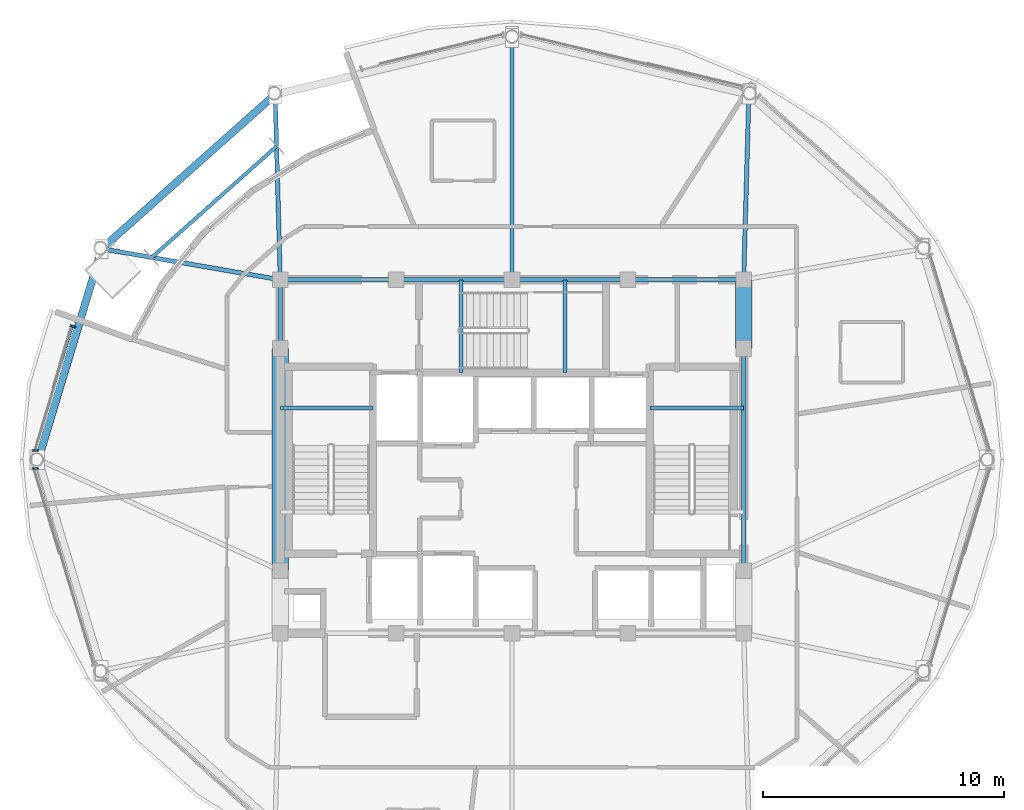
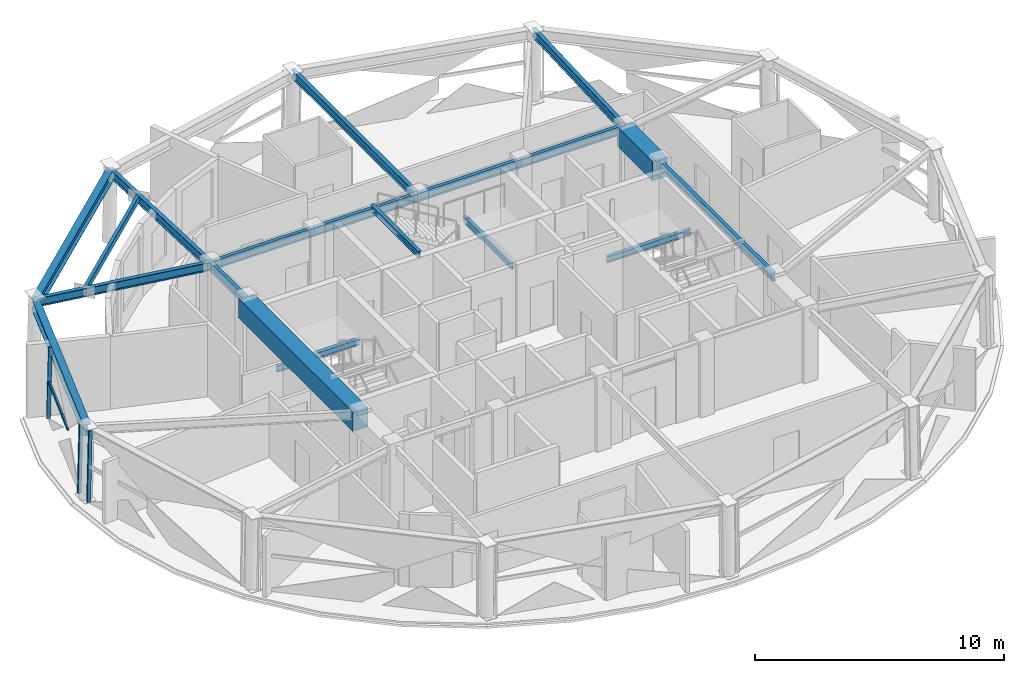
# One storey, part 3 of 14: 19 beams, 4 members, 2 elements without a shape of their own.
"""IFC4 building model written with IfcOpenShell, lengths in metres."""

import ifcopenshell
import ifcopenshell.guid

model = None  # the IFC model being written
_history = None  # IfcOwnerHistory: only IFC2X3 demands one
_inside = {}  # id of a spatial element -> (the spatial element, [elements in it])
_under = {}  # id of a project, library or spatial element -> (it, [spatial elements below it])
_declared = {}  # id of a project -> (the project, [libraries it declares])
_typed = {}  # id of a type object -> (the type object, [elements of that type])
_made_of = {}  # id of a material, layer set ... -> (it, [elements and type objects made of it])


def new_model(schema):
    """Start an empty IFC model of exactly this schema.

    Asked for "IFC4X3", IfcOpenShell would pick the latest addendum, in which some entities
    have other attributes; the version numbers below select the first issue.
    IFC2X3 requires an IfcOwnerHistory on every rooted entity: one is made here for all.
    """
    global model, _history
    if schema == "IFC4X3":
        model = ifcopenshell.file(schema_version=(4, 3, 0, 0))
    else:
        model = ifcopenshell.file(schema=schema)
    _inside.clear()
    _under.clear()
    _declared.clear()
    _typed.clear()
    _made_of.clear()
    _history = None
    if model.schema == "IFC2X3":
        org = make("IfcOrganization", Name="unknown")
        user = make(
            "IfcPersonAndOrganization",
            ThePerson=make("IfcPerson", FamilyName="unknown"),
            TheOrganization=org,
        )
        app = make(
            "IfcApplication",
            ApplicationDeveloper=org,
            Version="unknown",
            ApplicationFullName="unknown",
            ApplicationIdentifier="unknown",
        )
        _history = make(
            "IfcOwnerHistory",
            OwningUser=user,
            OwningApplication=app,
            ChangeAction="ADDED",
            CreationDate=0,
        )
    return model


def make(cls, **values):
    """One entity of the class cls with the attributes given. An attribute that is None is left unset."""
    return model.create_entity(
        cls, **{name: value for name, value in values.items() if value is not None}
    )


def rooted(cls, **values):
    """An entity with a GlobalId (a new one), such as an element, a storey or a relation."""
    return make(cls, GlobalId=ifcopenshell.guid.new(), OwnerHistory=_history, **values)


def si_unit(unit_type, name, prefix=None):
    """IfcSIUnit, for example si_unit("LENGTHUNIT", "METRE", prefix="MILLI")."""
    return make("IfcSIUnit", UnitType=unit_type, Prefix=prefix, Name=name)


def assignment(units):
    """IfcUnitAssignment: the units of a project."""
    return None if units is None else make("IfcUnitAssignment", Units=units)


def point(xyz):
    """IfcCartesianPoint."""
    return None if xyz is None else make("IfcCartesianPoint", Coordinates=xyz)


def direction(xyz):
    """IfcDirection."""
    return None if xyz is None else make("IfcDirection", DirectionRatios=xyz)


def frame(location, z_axis=None, x_axis=None):
    """IfcAxis2Placement3D, a coordinate frame: its origin and axes. An axis left out is left unset."""
    return make(
        "IfcAxis2Placement3D",
        Location=point(location),
        Axis=direction(z_axis),
        RefDirection=direction(x_axis),
    )


def frame_2d(location, x_axis=None):
    """IfcAxis2Placement2D, a coordinate frame in the plane: its origin and x axis."""
    return make(
        "IfcAxis2Placement2D", Location=point(location), RefDirection=direction(x_axis)
    )


def origin():
    """The frame at (0, 0, 0) with its axes left unset."""
    return frame((0.0, 0.0, 0.0))


def origin_2d():
    """The frame at (0, 0) in the plane with its x axis left unset."""
    return frame_2d((0.0, 0.0))


def place(relative_to, where):
    """IfcLocalPlacement: puts the frame where relative to a parent placement (None: the world)."""
    return make(
        "IfcLocalPlacement", PlacementRelTo=relative_to, RelativePlacement=where
    )


def context(
    kind, dimensions, precision=None, world=None, true_north=None, identifier=None
):
    """IfcGeometricRepresentationContext, for example the 3D "Model" context."""
    return make(
        "IfcGeometricRepresentationContext",
        ContextIdentifier=identifier,
        ContextType=kind,
        CoordinateSpaceDimension=dimensions,
        Precision=precision,
        WorldCoordinateSystem=world,
        TrueNorth=true_north,
    )


def subcontext(parent, identifier, kind, view, scale=None):
    """IfcGeometricRepresentationSubContext, for example "Body" below "Model"."""
    return make(
        "IfcGeometricRepresentationSubContext",
        ContextIdentifier=identifier,
        ContextType=kind,
        ParentContext=parent,
        TargetScale=scale,
        TargetView=view,
    )


def project(units=None, contexts=None):
    """IfcProject with its units and contexts."""
    return rooted(
        "IfcProject",
        Name="project",
        RepresentationContexts=contexts,
        UnitsInContext=assignment(units),
    )


def spatial(cls, under=None, at=None, **own):
    """A site, building, storey or space (cls), placed at a placement, below another one or the project."""
    s = rooted(cls, ObjectPlacement=at, **own)
    if under is not None:
        _under.setdefault(under.id(), (under, []))[1].append(s)
    return s


def profile(cls, at=None, kind="AREA", **sizes):
    """A parametric profile (cls). Its sizes go by their IFC names, for example OverallWidth=200.0."""
    return make(cls, ProfileType=kind, Position=at, **sizes)


def rectangle(**sizes):
    """IfcRectangleProfileDef."""
    return profile("IfcRectangleProfileDef", **sizes)


def hollow_rectangle(**sizes):
    """IfcRectangleHollowProfileDef."""
    return profile("IfcRectangleHollowProfileDef", **sizes)


def i_section(**sizes):
    """IfcIShapeProfileDef."""
    return profile("IfcIShapeProfileDef", **sizes)


def extrude(swept, where, along, depth):
    """IfcExtrudedAreaSolid: the profile swept, set in the frame where, extruded along a direction by depth."""
    return make(
        "IfcExtrudedAreaSolid",
        SweptArea=swept,
        Position=where,
        ExtrudedDirection=direction(along),
        Depth=depth,
    )


def shape(context_of_items, identifier, shape_type, items):
    """IfcShapeRepresentation: the items that make up one representation, for example the "Body"."""
    return make(
        "IfcShapeRepresentation",
        ContextOfItems=context_of_items,
        RepresentationIdentifier=identifier,
        RepresentationType=shape_type,
        Items=items,
    )


def material(Name=None, Category=None):
    """IfcMaterial."""
    return make("IfcMaterial", Name=Name, Category=Category)


def layer(
    of_material, thickness, ventilated=None, Name=None, Category=None, Priority=None
):
    """IfcMaterialLayer: one layer of a wall or slab, of a material (None: an air gap)."""
    return make(
        "IfcMaterialLayer",
        Material=of_material,
        LayerThickness=thickness,
        IsVentilated=ventilated,
        Name=Name,
        Category=Category,
        Priority=Priority,
    )


def layer_set(layers, Name=None):
    """IfcMaterialLayerSet."""
    return make("IfcMaterialLayerSet", MaterialLayers=layers, LayerSetName=Name)


def material_profile(
    of_material, cross_section, Name=None, Category=None, Priority=None
):
    """IfcMaterialProfile: a cross section and its material."""
    return make(
        "IfcMaterialProfile",
        Name=Name,
        Material=of_material,
        Profile=cross_section,
        Priority=Priority,
        Category=Category,
    )


def profile_set(profiles, Name=None, composite=None):
    """IfcMaterialProfileSet."""
    return make(
        "IfcMaterialProfileSet",
        Name=Name,
        MaterialProfiles=profiles,
        CompositeProfile=composite,
    )


def made_of(thing, what):
    """Note that an element or type object is made of a material, layer set ...; save() writes the relation."""
    if what is not None:
        _made_of.setdefault(what.id(), (what, []))[1].append(thing)
    return thing


def type_object(cls, material=None, **own):
    """A type object (cls), such as IfcWallType, which elements share."""
    return made_of(rooted(cls, **own), material)


def element(
    cls,
    number,
    at=None,
    inside=None,
    cuts=None,
    type_object=None,
    material=None,
    context=None,
    identifier="Body",
    shape_type=None,
    held_by="IfcProductDefinitionShape",
    body=None,
    shapes=None,
    **own,
):
    """One element of the class cls, such as IfcWall. Its Tag is "e" and its number.

    at: its placement. inside: the storey or other place that contains it. cuts: it is an
    opening in that element (IfcRelVoidsElement). A single representation is given by context,
    identifier, shape_type and body (its items); several are given by shapes. held_by: the class
    of the entity that holds the representations. save() writes the other relations.
    """
    e = rooted(cls, Tag="e%d" % number, ObjectPlacement=at, **own)
    if body is not None:
        shapes = [shape(context, identifier, shape_type, body)]
    if shapes is not None:
        e.Representation = make(held_by, Representations=shapes)
    if inside is not None:
        _inside.setdefault(inside.id(), (inside, []))[1].append(e)
    if cuts is not None:
        rooted(
            "IfcRelVoidsElement", RelatingBuildingElement=cuts, RelatedOpeningElement=e
        )
    if type_object is not None:
        _typed.setdefault(type_object.id(), (type_object, []))[1].append(e)
    return made_of(e, material)


def aggregate(whole, parts):
    """IfcRelAggregates: a whole, such as a stair, and the parts it consists of."""
    return rooted("IfcRelAggregates", RelatingObject=whole, RelatedObjects=parts)


def save(model, path):
    """Write the relations noted so far, then the file.

    IfcRelAggregates (storeys below a building ...), IfcRelContainedInSpatialStructure (elements
    in a storey), IfcRelDefinesByType, IfcRelAssociatesMaterial and IfcRelDeclares: one each for
    every whole, place, type object, material and project.
    """
    for whole, parts in _under.values():
        aggregate(whole, parts)
    for where, things in _inside.values():
        rooted(
            "IfcRelContainedInSpatialStructure",
            RelatedElements=things,
            RelatingStructure=where,
        )
    for kind, things in _typed.values():
        rooted("IfcRelDefinesByType", RelatedObjects=things, RelatingType=kind)
    for what, things in _made_of.values():
        rooted("IfcRelAssociatesMaterial", RelatedObjects=things, RelatingMaterial=what)
    for by, libraries in _declared.values():
        rooted("IfcRelDeclares", RelatingContext=by, RelatedDefinitions=libraries)
    model.write(path)


model = new_model("IFC4")

# Units and contexts
model_context = context("Model", 3, precision=1e-05, world=origin(), true_north=direction((0.0, 1.0)))
body_context = subcontext(model_context, "Body", "Model", "MODEL_VIEW")
ifc_project = project(units=[si_unit("LENGTHUNIT", "METRE"), si_unit("AREAUNIT", "SQUARE_METRE"), si_unit("VOLUMEUNIT", "CUBIC_METRE"), si_unit("PLANEANGLEUNIT", "RADIAN"), si_unit("MASSUNIT", "GRAM", prefix="KILO")], contexts=[model_context])

# Site, building, storey
site_placement = place(None, origin())
site = spatial("IfcSite", under=ifc_project, at=site_placement, CompositionType="ELEMENT")
building_placement = place(site_placement, origin())
building = spatial("IfcBuilding", under=site, at=building_placement, Name="Vantalir Tower", CompositionType="ELEMENT")
storey_placement = place(building_placement, frame((0.0, 0.0, 271.35009765625)))
storey = spatial("IfcBuildingStorey", under=building, at=storey_placement, Name="L68", CompositionType="ELEMENT", Elevation=271.35009765625)

# Beams
ifc_material_1 = material(Name="Concrete C60/75", Category="concrete")
ifc_material_profile_1 = material_profile(ifc_material_1, rectangle(XDim=0.699951171875, YDim=0.949951171875, at=origin_2d()), Name="Concrete C60/75")
ifc_profile_set_1 = profile_set([ifc_material_profile_1], Name="Concrete C60/75")
beam_type_1 = type_object("IfcBeamType", Name="BM-CB-700x950", PredefinedType="USERDEFINED", material=ifc_profile_set_1)
beam_1_placement = place(storey_placement, frame((41.10009765625, 29.60009765625, 3.094970703125), z_axis=(0.0, 1.0, 0.0), x_axis=(-1.0, 0.0, 0.0)))
element("IfcBeam", 1, at=beam_1_placement, inside=storey, type_object=beam_type_1, Name="L68 Core Coupling Girder 07", ObjectType="GIRDER", PredefinedType="USERDEFINED", context=body_context, shape_type="SweptSolid", body=[
    extrude(rectangle(XDim=0.699951171875, YDim=0.949951171875, at=origin_2d()), origin(), (0.0, 0.0, 1.0), 2.849853515625),
])
beam_2_placement = place(storey_placement, frame((21.89990234375, 29.60009765625, 3.094970703125), z_axis=(0.0, -1.0, 0.0), x_axis=(1.0, 0.0, 0.0)))
element("IfcBeam", 2, at=beam_2_placement, inside=storey, type_object=beam_type_1, Name="L68 Core Coupling Girder 13", ObjectType="GIRDER", PredefinedType="USERDEFINED", context=body_context, shape_type="SweptSolid", body=[
    extrude(rectangle(XDim=0.699951171875, YDim=0.949951171875, at=origin_2d()), origin(), (0.0, 0.0, 1.0), 9.2001953125),
])
ifc_material_2 = material(Name="Steel S355", Category="steel")
ifc_material_profile_2 = material_profile(ifc_material_2, i_section(OverallWidth=0.166015625, OverallDepth=0.306884765625, WebThickness=0.006591796875, FlangeThickness=0.01171875, at=origin_2d()), Name="Steel S355")
ifc_profile_set_2 = profile_set([ifc_material_profile_2], Name="Steel S355")
beam_type_2 = type_object("IfcBeamType", Name="BM-JS-305x165", PredefinedType="JOIST", material=ifc_profile_set_2)
beam_3_placement = place(storey_placement, frame((21.89990234375, 27.14501953125, 1.52099609375), z_axis=(1.0, 0.0, 0.0), x_axis=(0.0, 1.0, 0.0)))
element("IfcBeam", 3, at=beam_3_placement, inside=storey, type_object=beam_type_2, Name="L68 Stair ST1 Half-Landing Support Beam", PredefinedType="JOIST", context=body_context, shape_type="SweptSolid", body=[
    extrude(i_section(OverallWidth=0.166015625, OverallDepth=0.306884765625, WebThickness=0.006591796875, FlangeThickness=0.01171875, at=origin_2d()), origin(), (0.0, 0.0, 1.0), 3.840087890625),
])
beam_4_placement = place(storey_placement, frame((37.2099609375, 27.14501953125, 1.52099609375), z_axis=(1.0, 0.0, 0.0), x_axis=(0.0, 1.0, 0.0)))
element("IfcBeam", 4, at=beam_4_placement, inside=storey, type_object=beam_type_2, Name="L68 Stair ST2 Half-Landing Support Beam", PredefinedType="JOIST", context=body_context, shape_type="SweptSolid", body=[
    extrude(i_section(OverallWidth=0.166015625, OverallDepth=0.306884765625, WebThickness=0.006591796875, FlangeThickness=0.01171875, at=origin_2d()), origin(), (0.0, 0.0, 1.0), 3.89013671875),
])
for number, where, z_axis, x_axis, name in (
    (5, (29.385009765625, 28.60009765625, 3.595947265625), (0.0, 1.0, 0.0), (-1.0, 0.0, 0.0), "L69 Stair ST3 Well Nosing Trimmer Beam"),
    (6, (33.695068359375, 28.60009765625, 1.52099609375), (0.0, 1.0, 0.0), (-1.0, 0.0, 0.0), "L68 Stair ST3 Half-Landing Support Beam"),
):
    element("IfcBeam", number, at=place(storey_placement, frame(where, z_axis=z_axis, x_axis=x_axis)), inside=storey, type_object=beam_type_2, Name=name, PredefinedType="JOIST", context=body_context, shape_type="SweptSolid", body=[
        extrude(i_section(OverallWidth=0.166015625, OverallDepth=0.306884765625, WebThickness=0.006591796875, FlangeThickness=0.01171875, at=origin_2d()), origin(), (0.0, 0.0, 1.0), 3.849853515625),
    ])
ifc_material_profile_3 = material_profile(ifc_material_2, i_section(OverallWidth=0.179931640625, OverallDepth=0.4130859375, WebThickness=0.009521484375, FlangeThickness=0.01611328125, at=origin_2d()), Name="Steel S355")
ifc_profile_set_3 = profile_set([ifc_material_profile_3], Name="Steel S355")
beam_type_3 = type_object("IfcBeamType", Name="BM-RB-406x178", PredefinedType="BEAM", material=ifc_profile_set_3)
beam_5_placement = place(storey_placement, frame((41.10009765625, 20.39990234375, 3.364013671875), z_axis=(0.0, 1.0, 0.0), x_axis=(-1.0, 0.0, 0.0)))
element("IfcBeam", 7, at=beam_5_placement, inside=storey, type_object=beam_type_3, Name="L68 Core Coupling Girder 06", PredefinedType="BEAM", context=body_context, shape_type="SweptSolid", body=[
    extrude(i_section(OverallWidth=0.179931640625, OverallDepth=0.4130859375, WebThickness=0.009521484375, FlangeThickness=0.01611328125, at=origin_2d()), origin(), (0.0, 0.0, 1.0), 9.2001953125),
])
for number, where, z_axis, x_axis, name in (
    (8, (41.10009765625, 32.449951171875, 3.364013671875), (-1.0, 0.0, 0.0), (0.0, -1.0, 0.0), "L68 Core Coupling Girder 08"),
    (9, (36.300048828125, 32.449951171875, 3.364013671875), (-1.0, 0.0, 0.0), (0.0, -1.0, 0.0), "L68 Core Coupling Girder 09"),
    (10, (31.5, 32.449951171875, 3.364013671875), (-1.0, 0.0, 0.0), (0.0, -1.0, 0.0), "L68 Core Coupling Girder 10"),
    (11, (26.699951171875, 32.449951171875, 3.364013671875), (-1.0, 0.0, 0.0), (0.0, -1.0, 0.0), "L68 Core Coupling Girder 11"),
):
    element("IfcBeam", number, at=place(storey_placement, frame(where, z_axis=z_axis, x_axis=x_axis)), inside=storey, type_object=beam_type_3, Name=name, PredefinedType="BEAM", context=body_context, shape_type="SweptSolid", body=[
        extrude(i_section(OverallWidth=0.179931640625, OverallDepth=0.4130859375, WebThickness=0.009521484375, FlangeThickness=0.01611328125, at=origin_2d()), origin(), (0.0, 0.0, 1.0), 4.800048828125),
    ])
beam_6_placement = place(storey_placement, frame((21.89990234375, 32.449951171875, 3.364013671875), z_axis=(0.0, -1.0, 0.0), x_axis=(1.0, 0.0, 0.0)))
element("IfcBeam", 12, at=beam_6_placement, inside=storey, type_object=beam_type_3, Name="L68 Core Coupling Girder 12", PredefinedType="BEAM", context=body_context, shape_type="SweptSolid", body=[
    extrude(i_section(OverallWidth=0.179931640625, OverallDepth=0.4130859375, WebThickness=0.009521484375, FlangeThickness=0.01611328125, at=origin_2d()), origin(), (0.0, 0.0, 1.0), 2.849853515625),
])
beam_7_placement = place(storey_placement, frame((41.31494140625, 40.1279296875, 3.364013671875), z_axis=(-0.027970863626, -0.999608738851, 0.0), x_axis=(0.999608738851, -0.027970863626, 0.0)))
element("IfcBeam", 13, at=beam_7_placement, inside=storey, type_object=beam_type_3, Name="L68 Radial Floor Beam 03", PredefinedType="BEAM", context=body_context, shape_type="SweptSolid", body=[
    extrude(i_section(OverallWidth=0.179931640625, OverallDepth=0.4130859375, WebThickness=0.009521484375, FlangeThickness=0.01611328125, at=origin_2d()), origin(), (0.0, 0.0, 1.0), 7.680908203125),
])
beam_8_placement = place(storey_placement, frame((31.5, 42.468017578125, 3.364013671875), z_axis=(0.0, -1.0, 0.0), x_axis=(1.0, 0.0, 0.0)))
element("IfcBeam", 14, at=beam_8_placement, inside=storey, type_object=beam_type_3, Name="L68 Radial Floor Beam 04", PredefinedType="BEAM", context=body_context, shape_type="SweptSolid", body=[
    extrude(i_section(OverallWidth=0.179931640625, OverallDepth=0.4130859375, WebThickness=0.009521484375, FlangeThickness=0.01611328125, at=origin_2d()), origin(), (0.0, 0.0, 1.0), 10.01806640625),
])
beam_9_placement = place(storey_placement, frame((21.68505859375, 40.1279296875, 3.364013671875), z_axis=(0.027970863626, -0.999608738851, 0.0), x_axis=(0.999608738851, 0.027970863626, 0.0)))
element("IfcBeam", 15, at=beam_9_placement, inside=storey, type_object=beam_type_3, Name="L68 Radial Floor Beam 05", PredefinedType="BEAM", context=body_context, shape_type="SweptSolid", body=[
    extrude(i_section(OverallWidth=0.179931640625, OverallDepth=0.4130859375, WebThickness=0.009521484375, FlangeThickness=0.01611328125, at=origin_2d()), origin(), (0.0, 0.0, 1.0), 7.680908203125),
])
beam_10_placement = place(storey_placement, frame((14.5, 33.73388671875, 3.364013671875), z_axis=(0.985279196907, -0.170952929612, 0.0), x_axis=(0.170952929612, 0.985279196907, 0.0)))
element("IfcBeam", 16, at=beam_10_placement, inside=storey, type_object=beam_type_3, Name="L68 Radial Floor Beam 06", PredefinedType="BEAM", context=body_context, shape_type="SweptSolid", body=[
    extrude(i_section(OverallWidth=0.179931640625, OverallDepth=0.4130859375, WebThickness=0.009521484375, FlangeThickness=0.01611328125, at=origin_2d()), origin(), (0.0, 0.0, 1.0), 7.510498046875),
])
ifc_material_3 = material(Name="Steel S460", Category="steel")
ifc_material_profile_4 = material_profile(ifc_material_3, i_section(OverallWidth=0.31201171875, OverallDepth=0.5419921875, WebThickness=0.0126953125, FlangeThickness=0.020263671875, at=origin_2d()), Name="Steel S460")
ifc_profile_set_4 = profile_set([ifc_material_profile_4], Name="Steel S460")
beam_type_4 = type_object("IfcBeamType", Name="BM-RG-533x312", PredefinedType="USERDEFINED", material=ifc_profile_set_4)
beam_11_placement = place(storey_placement, frame((21.68505859375, 40.1279296875, 3.298828125), z_axis=(-0.747031073706, -0.664789120637, 0.0), x_axis=(0.664789120637, -0.747031073706, 0.0)))
element("IfcBeam", 17, at=beam_11_placement, inside=storey, type_object=beam_type_4, Name="L68 Circumferential Ring Girder 05", ObjectType="GIRDER", PredefinedType="USERDEFINED", context=body_context, shape_type="SweptSolid", body=[
    extrude(i_section(OverallWidth=0.31201171875, OverallDepth=0.5419921875, WebThickness=0.0126953125, FlangeThickness=0.020263671875, at=origin_2d()), origin(), (0.0, 0.0, 1.0), 9.6181640625),
])
beam_12_placement = place(storey_placement, frame((14.5, 33.73388671875, 3.298828125), z_axis=(-0.288325069141, -0.957532586654, 0.0), x_axis=(0.957532586654, -0.288325069141, 0.0)))
element("IfcBeam", 18, at=beam_12_placement, inside=storey, type_object=beam_type_4, Name="L68 Circumferential Ring Girder 06", ObjectType="GIRDER", PredefinedType="USERDEFINED", context=body_context, shape_type="SweptSolid", body=[
    extrude(i_section(OverallWidth=0.31201171875, OverallDepth=0.5419921875, WebThickness=0.0126953125, FlangeThickness=0.020263671875, at=origin_2d()), origin(), (0.0, 0.0, 1.0), 9.121337890625),
])
ifc_material_profile_5 = material_profile(ifc_material_2, hollow_rectangle(XDim=0.14990234375, YDim=0.300048828125, WallThickness=0.011962890625, at=origin_2d()), Name="Steel S355")
ifc_profile_set_5 = profile_set([ifc_material_profile_5], Name="Steel S355")
beam_type_5 = type_object("IfcBeamType", Name="BM-SP-300x150", PredefinedType="LINTEL", material=ifc_profile_set_5)
beam_13_placement = place(storey_placement, frame((21.7451171875, 37.97802734375, 3.419921875), z_axis=(-0.747000715257, -0.664823233202, 0.0), x_axis=(0.664823233202, -0.747000715257, 0.0)))
element("IfcBeam", 19, at=beam_13_placement, inside=storey, type_object=beam_type_5, Name="L68 SG4 Recessed Edge Lintel 1", PredefinedType="LINTEL", context=body_context, shape_type="SweptSolid", body=[
    extrude(hollow_rectangle(XDim=0.14990234375, YDim=0.300048828125, WallThickness=0.011962890625, at=origin_2d()), origin(), (0.0, 0.0, 1.0), 6.925048828125),
])

# Curtain wall, members
ifc_material_4 = material(Name="Champagne-silver PVDF aluminium and double-silver Low-E glass", Category="aluminium")
ifc_layer = layer(ifc_material_4, 0.219970703125)
ifc_layer_set = layer_set([ifc_layer], Name="Champagne-silver PVDF aluminium and double-silver Low-E glass")
curtain_wall_type = type_object("IfcCurtainWallType", Name="CW-DIAMOND-Z4", PredefinedType="USERDEFINED", material=ifc_layer_set)
curtain_wall_1_placement = place(storey_placement, origin())
curtain_wall_1 = element("IfcCurtainWall", 20, at=curtain_wall_1_placement, inside=storey, type_object=curtain_wall_type, Name="L68 Quilted Pyramid-Diamond Curtain Wall S06", ObjectType="UNITISED CURTAIN WALL", PredefinedType="USERDEFINED")
ifc_material_5 = material(Name="Champagne-silver PVDF aluminium 6063-T6", Category="aluminium")
ifc_material_profile_6 = material_profile(ifc_material_5, hollow_rectangle(XDim=0.070068359375, YDim=0.1650390625, WallThickness=0.00390625, at=origin_2d()), Name="Champagne-silver PVDF aluminium 6063-T6")
ifc_profile_set_6 = profile_set([ifc_material_profile_6], Name="Champagne-silver PVDF aluminium 6063-T6")
member_type_1 = type_object("IfcMemberType", Name="CWM-165x70", PredefinedType="MULLION", material=ifc_profile_set_6)
member_1_placement = place(storey_placement, frame((13.264892578125, 30.535888671875, 0.044921875), z_axis=(0.020971498674, -0.006593046406, 0.99975833479), x_axis=(0.299909558796, 0.953967639149, 0.0)))
member_1 = element("IfcMember", 21, at=member_1_placement, type_object=member_type_1, Name="CW-L68-S06 Mullion 1", PredefinedType="MULLION", context=body_context, shape_type="SweptSolid", body=[
    extrude(hollow_rectangle(XDim=0.070068359375, YDim=0.1650390625, WallThickness=0.00390625, at=origin_2d()), origin(), (0.0, 0.0, 1.0), 3.480712890625),
])
member_2_placement = place(storey_placement, frame((11.7119140625, 25.373046875, 0.044921875), z_axis=(0.023004994726, 0.0, 0.999735350089), x_axis=(0.0, 1.0, 0.0)))
member_2 = element("IfcMember", 22, at=member_2_placement, type_object=member_type_1, Name="CW-L68-S06 Mullion 2", PredefinedType="MULLION", context=body_context, shape_type="SweptSolid", body=[
    extrude(hollow_rectangle(XDim=0.070068359375, YDim=0.1650390625, WallThickness=0.00390625, at=origin_2d()), origin(), (0.0, 0.0, 1.0), 3.48095703125),
])

# Curtain wall, member
curtain_wall_2_placement = place(storey_placement, origin())
curtain_wall_2 = element("IfcCurtainWall", 23, at=curtain_wall_2_placement, inside=storey, type_object=curtain_wall_type, Name="L68 Quilted Pyramid-Diamond Curtain Wall S07", ObjectType="UNITISED CURTAIN WALL", PredefinedType="USERDEFINED")
member_3_placement = place(storey_placement, frame((11.7119140625, 24.626953125, 0.044921875), z_axis=(0.023004994726, 0.0, 0.999735350089), x_axis=(0.0, 1.0, 0.0)))
member_3 = element("IfcMember", 24, at=member_3_placement, type_object=member_type_1, Name="CW-L68-S07 Mullion 1", PredefinedType="MULLION", context=body_context, shape_type="SweptSolid", body=[
    extrude(hollow_rectangle(XDim=0.070068359375, YDim=0.1650390625, WallThickness=0.00390625, at=origin_2d()), origin(), (0.0, 0.0, 1.0), 3.48095703125),
])
aggregate(curtain_wall_2, [member_3])

# Member
ifc_material_profile_7 = material_profile(ifc_material_5, hollow_rectangle(XDim=0.074951171875, YDim=0.159912109375, WallThickness=0.00390625, at=origin_2d()), Name="Champagne-silver PVDF aluminium 6063-T6")
ifc_profile_set_7 = profile_set([ifc_material_profile_7], Name="Champagne-silver PVDF aluminium 6063-T6")
member_type_2 = type_object("IfcMemberType", Name="CWT-160x75", PredefinedType="USERDEFINED", material=ifc_profile_set_7)
member_4_placement = place(storey_placement, frame((13.301025390625, 30.52392578125, 1.784912109375), z_axis=(-0.29480010059, -0.955558946739, 0.0), x_axis=(0.955558946739, -0.29480010059, 0.0)))
member_4 = element("IfcMember", 25, at=member_4_placement, type_object=member_type_2, Name="CW-L68-S06 Pyramid Fold Ridge Transom", ObjectType="TRANSOM", PredefinedType="USERDEFINED", context=body_context, shape_type="SweptSolid", body=[
    extrude(hollow_rectangle(XDim=0.074951171875, YDim=0.159912109375, WallThickness=0.00390625, at=origin_2d()), origin(), (0.0, 0.0, 1.0), 3.33837890625),
])

aggregate(curtain_wall_1, [member_1, member_2, member_4])

save(model, "model.ifc")
